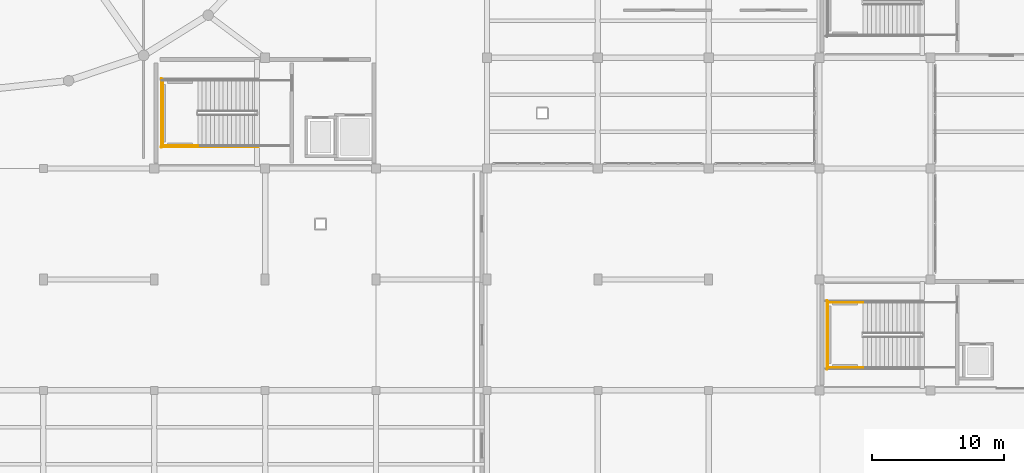
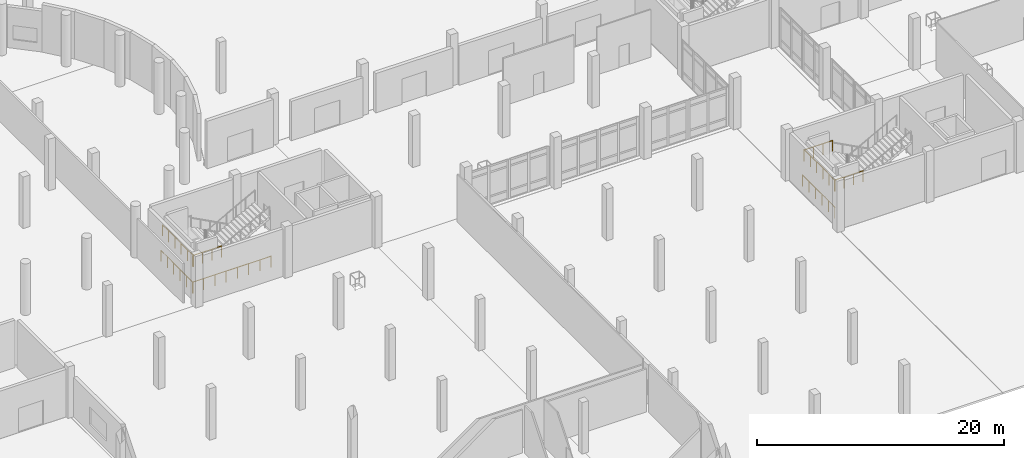
# One storey, part 57 of 64: 8 railings.
"""IFC4 building model written with IfcOpenShell, lengths in metres."""

from ifc_helpers import new_model, si_unit, derived_unit, direction, frame, origin, origin_2d, place, context, subcontext, project, spatial, circle, extrude, material, type_object, element, save


model = new_model("IFC4")

# Units and contexts
model_context = context("Model", 3, precision=1e-05, world=origin(), true_north=direction((0.0, 1.0)))
body_context = subcontext(model_context, "Body", "Model", "MODEL_VIEW")
ifc_project = project(units=[si_unit("LENGTHUNIT", "METRE"), si_unit("AREAUNIT", "SQUARE_METRE"), si_unit("VOLUMEUNIT", "CUBIC_METRE"), si_unit("PLANEANGLEUNIT", "RADIAN"), si_unit("MASSUNIT", "GRAM", prefix="KILO"), derived_unit("THERMALTRANSMITTANCEUNIT", [(si_unit("POWERUNIT", "WATT"), 1), (si_unit("LENGTHUNIT", "METRE"), -2), (si_unit("THERMODYNAMICTEMPERATUREUNIT", "KELVIN"), -1)])], contexts=[model_context])

# Site, building, storey
site_placement = place(None, origin())
site = spatial("IfcSite", under=ifc_project, at=site_placement, CompositionType="ELEMENT")
building_placement = place(site_placement, origin())
building = spatial("IfcBuilding", under=site, at=building_placement, Name="Elbkamm Science Centre", CompositionType="ELEMENT")
storey_placement = place(building_placement, origin())
storey = spatial("IfcBuildingStorey", under=building, at=storey_placement, Name="L00", CompositionType="ELEMENT", Elevation=0.0)

# Railings
ifc_material = material(Name="Stainless steel EN 1.4401", Category="steel")
railing_type = type_object("IfcRailingType", Name="RAIL-GUARD-1100", PredefinedType="GUARDRAIL", material=ifc_material)
railing_1_placement = place(storey_placement, frame((78.89990234375, 43.72998046875, 2.550048828125)))
element("IfcRailing", 1, at=railing_1_placement, inside=storey, type_object=railing_type, Name="L00 ST-C2 stair guard 4", PredefinedType="GUARDRAIL", context=body_context, shape_type="SweptSolid", body=[
    extrude(circle(Radius=0.02392578125, at=origin_2d()), frame((0.0, 0.0, 1.078125), z_axis=(-1.0, 0.0, 0.0), x_axis=(0.0, -1.0, 0.0)), (0.0, 0.0, 1.0), 2.699951171875),
    extrude(circle(Radius=0.02001953125, at=origin_2d()), origin(), (0.0, 0.0, 1.0), 1.048095703125),
    extrude(circle(Radius=0.02001953125, at=origin_2d()), frame((-0.89990234375, 0.0, 0.0)), (0.0, 0.0, 1.0), 1.048095703125),
    extrude(circle(Radius=0.02001953125, at=origin_2d()), frame((-1.800048828125, 0.0, 0.0)), (0.0, 0.0, 1.0), 1.048095703125),
    extrude(circle(Radius=0.02001953125, at=origin_2d()), frame((-2.699951171875, 0.0, 0.0)), (0.0, 0.0, 1.0), 1.048095703125),
])
railing_2_placement = place(storey_placement, frame((76.25, 48.719970703125, 2.550048828125)))
element("IfcRailing", 2, at=railing_2_placement, inside=storey, type_object=railing_type, Name="L00 ST-C2 stair guard 5", PredefinedType="GUARDRAIL", context=body_context, shape_type="SweptSolid", body=[
    extrude(circle(Radius=0.02392578125, at=origin_2d()), frame((0.0, 0.0, 1.078125), z_axis=(0.0, -1.0, 0.0), x_axis=(1.0, 0.0, 0.0)), (0.0, 0.0, 1.0), 5.0400390625),
    extrude(circle(Radius=0.02001953125, at=origin_2d()), origin(), (0.0, 0.0, 1.0), 1.048095703125),
    extrude(circle(Radius=0.02001953125, at=origin_2d()), frame((0.0, -1.008056640625, 0.0)), (0.0, 0.0, 1.0), 1.048095703125),
    extrude(circle(Radius=0.02001953125, at=origin_2d()), frame((0.0, -2.01611328125, 0.0)), (0.0, 0.0, 1.0), 1.048095703125),
    extrude(circle(Radius=0.02001953125, at=origin_2d()), frame((0.0, -3.02392578125, 0.0)), (0.0, 0.0, 1.0), 1.048095703125),
    extrude(circle(Radius=0.02001953125, at=origin_2d()), frame((0.0, -4.031982421875, 0.0)), (0.0, 0.0, 1.0), 1.048095703125),
    extrude(circle(Radius=0.02001953125, at=origin_2d()), frame((0.0, -5.0400390625, 0.0)), (0.0, 0.0, 1.0), 1.048095703125),
])
railing_3_placement = place(storey_placement, frame((83.47998046875, 43.6298828125, 0.0)))
element("IfcRailing", 3, at=railing_3_placement, inside=storey, type_object=railing_type, Name="L00 ST-C2 stair guard 11", PredefinedType="GUARDRAIL", context=body_context, shape_type="SweptSolid", body=[
    extrude(circle(Radius=0.02392578125, at=origin_2d()), frame((0.0, 0.0, 1.078125), z_axis=(-1.0, 0.0, 0.0), x_axis=(0.0, -1.0, 0.0)), (0.0, 0.0, 1.0), 7.3798828125),
    extrude(circle(Radius=0.02001953125, at=origin_2d()), origin(), (0.0, 0.0, 1.0), 1.048095703125),
    extrude(circle(Radius=0.02001953125, at=origin_2d()), frame((-1.05419921875, 0.0, 0.0)), (0.0, 0.0, 1.0), 1.048095703125),
    extrude(circle(Radius=0.02001953125, at=origin_2d()), frame((-2.108642578125, 0.0, 0.0)), (0.0, 0.0, 1.0), 1.048095703125),
    extrude(circle(Radius=0.02001953125, at=origin_2d()), frame((-3.162841796875, 0.0, 0.0)), (0.0, 0.0, 1.0), 1.048095703125),
    extrude(circle(Radius=0.02001953125, at=origin_2d()), frame((-4.217041015625, 0.0, 0.0)), (0.0, 0.0, 1.0), 1.048095703125),
    extrude(circle(Radius=0.02001953125, at=origin_2d()), frame((-5.271240234375, 0.0, 0.0)), (0.0, 0.0, 1.0), 1.048095703125),
    extrude(circle(Radius=0.02001953125, at=origin_2d()), frame((-6.32568359375, 0.0, 0.0)), (0.0, 0.0, 1.0), 1.048095703125),
    extrude(circle(Radius=0.02001953125, at=origin_2d()), frame((-7.3798828125, 0.0, 0.0)), (0.0, 0.0, 1.0), 1.048095703125),
])
railing_4_placement = place(storey_placement, frame((76.14990234375, 48.820068359375, 0.0)))
element("IfcRailing", 4, at=railing_4_placement, inside=storey, type_object=railing_type, Name="L00 ST-C2 stair guard 12", PredefinedType="GUARDRAIL", context=body_context, shape_type="SweptSolid", body=[
    extrude(circle(Radius=0.02392578125, at=origin_2d()), frame((0.0, 0.0, 1.078125), z_axis=(0.0, -1.0, 0.0), x_axis=(1.0, 0.0, 0.0)), (0.0, 0.0, 1.0), 5.239990234375),
    extrude(circle(Radius=0.02001953125, at=origin_2d()), origin(), (0.0, 0.0, 1.0), 1.048095703125),
    extrude(circle(Radius=0.02001953125, at=origin_2d()), frame((0.0, -1.048095703125, 0.0)), (0.0, 0.0, 1.0), 1.048095703125),
    extrude(circle(Radius=0.02001953125, at=origin_2d()), frame((0.0, -2.095947265625, 0.0)), (0.0, 0.0, 1.0), 1.048095703125),
    extrude(circle(Radius=0.02001953125, at=origin_2d()), frame((0.0, -3.14404296875, 0.0)), (0.0, 0.0, 1.0), 1.048095703125),
    extrude(circle(Radius=0.02001953125, at=origin_2d()), frame((0.0, -4.19189453125, 0.0)), (0.0, 0.0, 1.0), 1.048095703125),
    extrude(circle(Radius=0.02001953125, at=origin_2d()), frame((0.0, -5.239990234375, 0.0)), (0.0, 0.0, 1.0), 1.048095703125),
])
for number, where, name in (
    (5, (129.300048828125, 31.8701171875, 2.550048828125), "L00 ST-C4 stair guard 3"),
    (6, (129.300048828125, 26.929931640625, 2.550048828125), "L00 ST-C4 stair guard 4"),
):
    element("IfcRailing", number, at=place(storey_placement, frame(where)), inside=storey, type_object=railing_type, Name=name, PredefinedType="GUARDRAIL", context=body_context, shape_type="SweptSolid", body=[
        extrude(circle(Radius=0.02392578125, at=origin_2d()), frame((0.0, 0.0, 1.078125), z_axis=(-1.0, 0.0, 0.0), x_axis=(0.0, -1.0, 0.0)), (0.0, 0.0, 1.0), 2.699951171875),
        extrude(circle(Radius=0.02001953125, at=origin_2d()), origin(), (0.0, 0.0, 1.0), 1.048095703125),
        extrude(circle(Radius=0.02001953125, at=origin_2d()), frame((-0.89990234375, 0.0, 0.0)), (0.0, 0.0, 1.0), 1.048095703125),
        extrude(circle(Radius=0.02001953125, at=origin_2d()), frame((-1.800048828125, 0.0, 0.0)), (0.0, 0.0, 1.0), 1.048095703125),
        extrude(circle(Radius=0.02001953125, at=origin_2d()), frame((-2.699951171875, 0.0, 0.0)), (0.0, 0.0, 1.0), 1.048095703125),
    ])
railing_5_placement = place(storey_placement, frame((126.64990234375, 31.919921875, 2.550048828125)))
element("IfcRailing", 7, at=railing_5_placement, inside=storey, type_object=railing_type, Name="L00 ST-C4 stair guard 5", PredefinedType="GUARDRAIL", context=body_context, shape_type="SweptSolid", body=[
    extrude(circle(Radius=0.02392578125, at=origin_2d()), frame((0.0, 0.0, 1.078125), z_axis=(0.0, -1.0, 0.0), x_axis=(1.0, 0.0, 0.0)), (0.0, 0.0, 1.0), 5.0400390625),
    extrude(circle(Radius=0.02001953125, at=origin_2d()), origin(), (0.0, 0.0, 1.0), 1.048095703125),
    extrude(circle(Radius=0.02001953125, at=origin_2d()), frame((0.0, -1.008056640625, 0.0)), (0.0, 0.0, 1.0), 1.048095703125),
    extrude(circle(Radius=0.02001953125, at=origin_2d()), frame((0.0, -2.01611328125, 0.0)), (0.0, 0.0, 1.0), 1.048095703125),
    extrude(circle(Radius=0.02001953125, at=origin_2d()), frame((0.0, -3.02392578125, 0.0)), (0.0, 0.0, 1.0), 1.048095703125),
    extrude(circle(Radius=0.02001953125, at=origin_2d()), frame((0.0, -4.031982421875, 0.0)), (0.0, 0.0, 1.0), 1.048095703125),
    extrude(circle(Radius=0.02001953125, at=origin_2d()), frame((0.0, -5.0400390625, 0.0)), (0.0, 0.0, 1.0), 1.048095703125),
])
railing_6_placement = place(storey_placement, frame((126.550048828125, 32.02001953125, 0.0)))
element("IfcRailing", 8, at=railing_6_placement, inside=storey, type_object=railing_type, Name="L00 ST-C4 stair guard 12", PredefinedType="GUARDRAIL", context=body_context, shape_type="SweptSolid", body=[
    extrude(circle(Radius=0.02392578125, at=origin_2d()), frame((0.0, 0.0, 1.078125), z_axis=(0.0, -1.0, 0.0), x_axis=(1.0, 0.0, 0.0)), (0.0, 0.0, 1.0), 5.239990234375),
    extrude(circle(Radius=0.02001953125, at=origin_2d()), origin(), (0.0, 0.0, 1.0), 1.048095703125),
    extrude(circle(Radius=0.02001953125, at=origin_2d()), frame((0.0, -1.048095703125, 0.0)), (0.0, 0.0, 1.0), 1.048095703125),
    extrude(circle(Radius=0.02001953125, at=origin_2d()), frame((0.0, -2.095947265625, 0.0)), (0.0, 0.0, 1.0), 1.048095703125),
    extrude(circle(Radius=0.02001953125, at=origin_2d()), frame((0.0, -3.14404296875, 0.0)), (0.0, 0.0, 1.0), 1.048095703125),
    extrude(circle(Radius=0.02001953125, at=origin_2d()), frame((0.0, -4.19189453125, 0.0)), (0.0, 0.0, 1.0), 1.048095703125),
    extrude(circle(Radius=0.02001953125, at=origin_2d()), frame((0.0, -5.239990234375, 0.0)), (0.0, 0.0, 1.0), 1.048095703125),
])

save(model, "model.ifc")
